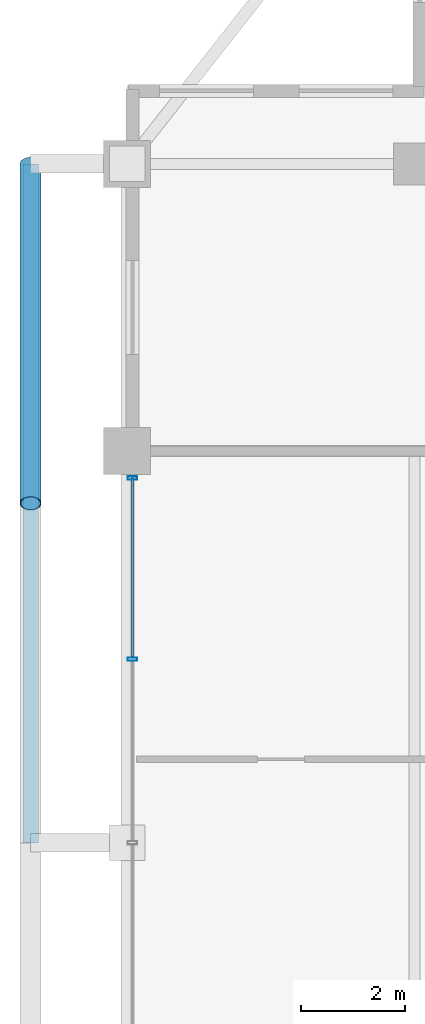
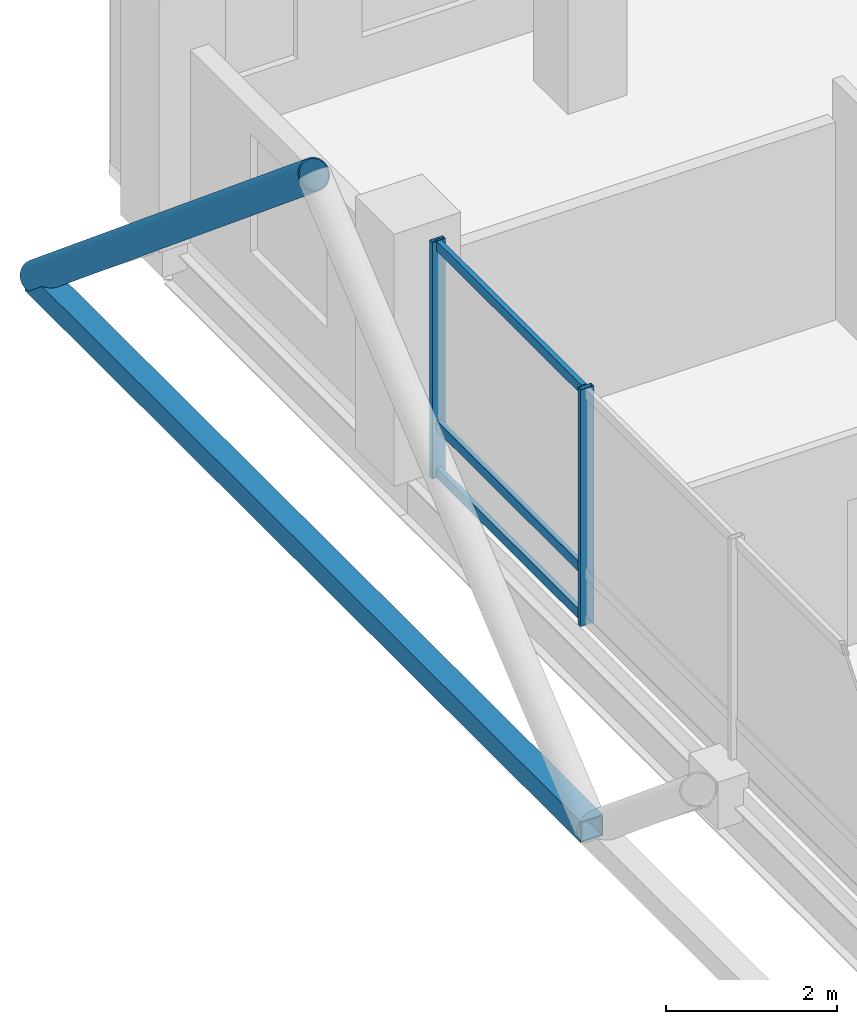
# One storey, part 10 of 25: 7 members, 1 element without a shape of its own.
"""IFC4 building model written with IfcOpenShell, lengths in metres."""

import ifcopenshell
import ifcopenshell.guid

model = None  # the IFC model being written
_history = None  # IfcOwnerHistory: only IFC2X3 demands one
_inside = {}  # id of a spatial element -> (the spatial element, [elements in it])
_under = {}  # id of a project, library or spatial element -> (it, [spatial elements below it])
_declared = {}  # id of a project -> (the project, [libraries it declares])
_typed = {}  # id of a type object -> (the type object, [elements of that type])
_made_of = {}  # id of a material, layer set ... -> (it, [elements and type objects made of it])


def new_model(schema):
    """Start an empty IFC model of exactly this schema.

    Asked for "IFC4X3", IfcOpenShell would pick the latest addendum, in which some entities
    have other attributes; the version numbers below select the first issue.
    IFC2X3 requires an IfcOwnerHistory on every rooted entity: one is made here for all.
    """
    global model, _history
    if schema == "IFC4X3":
        model = ifcopenshell.file(schema_version=(4, 3, 0, 0))
    else:
        model = ifcopenshell.file(schema=schema)
    _inside.clear()
    _under.clear()
    _declared.clear()
    _typed.clear()
    _made_of.clear()
    _history = None
    if model.schema == "IFC2X3":
        org = make("IfcOrganization", Name="unknown")
        user = make(
            "IfcPersonAndOrganization",
            ThePerson=make("IfcPerson", FamilyName="unknown"),
            TheOrganization=org,
        )
        app = make(
            "IfcApplication",
            ApplicationDeveloper=org,
            Version="unknown",
            ApplicationFullName="unknown",
            ApplicationIdentifier="unknown",
        )
        _history = make(
            "IfcOwnerHistory",
            OwningUser=user,
            OwningApplication=app,
            ChangeAction="ADDED",
            CreationDate=0,
        )
    return model


def make(cls, **values):
    """One entity of the class cls with the attributes given. An attribute that is None is left unset."""
    return model.create_entity(
        cls, **{name: value for name, value in values.items() if value is not None}
    )


def rooted(cls, **values):
    """An entity with a GlobalId (a new one), such as an element, a storey or a relation."""
    return make(cls, GlobalId=ifcopenshell.guid.new(), OwnerHistory=_history, **values)


def si_unit(unit_type, name, prefix=None):
    """IfcSIUnit, for example si_unit("LENGTHUNIT", "METRE", prefix="MILLI")."""
    return make("IfcSIUnit", UnitType=unit_type, Prefix=prefix, Name=name)


def assignment(units):
    """IfcUnitAssignment: the units of a project."""
    return None if units is None else make("IfcUnitAssignment", Units=units)


def point(xyz):
    """IfcCartesianPoint."""
    return None if xyz is None else make("IfcCartesianPoint", Coordinates=xyz)


def direction(xyz):
    """IfcDirection."""
    return None if xyz is None else make("IfcDirection", DirectionRatios=xyz)


def frame(location, z_axis=None, x_axis=None):
    """IfcAxis2Placement3D, a coordinate frame: its origin and axes. An axis left out is left unset."""
    return make(
        "IfcAxis2Placement3D",
        Location=point(location),
        Axis=direction(z_axis),
        RefDirection=direction(x_axis),
    )


def frame_2d(location, x_axis=None):
    """IfcAxis2Placement2D, a coordinate frame in the plane: its origin and x axis."""
    return make(
        "IfcAxis2Placement2D", Location=point(location), RefDirection=direction(x_axis)
    )


def origin():
    """The frame at (0, 0, 0) with its axes left unset."""
    return frame((0.0, 0.0, 0.0))


def origin_2d():
    """The frame at (0, 0) in the plane with its x axis left unset."""
    return frame_2d((0.0, 0.0))


def place(relative_to, where):
    """IfcLocalPlacement: puts the frame where relative to a parent placement (None: the world)."""
    return make(
        "IfcLocalPlacement", PlacementRelTo=relative_to, RelativePlacement=where
    )


def context(
    kind, dimensions, precision=None, world=None, true_north=None, identifier=None
):
    """IfcGeometricRepresentationContext, for example the 3D "Model" context."""
    return make(
        "IfcGeometricRepresentationContext",
        ContextIdentifier=identifier,
        ContextType=kind,
        CoordinateSpaceDimension=dimensions,
        Precision=precision,
        WorldCoordinateSystem=world,
        TrueNorth=true_north,
    )


def subcontext(parent, identifier, kind, view, scale=None):
    """IfcGeometricRepresentationSubContext, for example "Body" below "Model"."""
    return make(
        "IfcGeometricRepresentationSubContext",
        ContextIdentifier=identifier,
        ContextType=kind,
        ParentContext=parent,
        TargetScale=scale,
        TargetView=view,
    )


def project(units=None, contexts=None):
    """IfcProject with its units and contexts."""
    return rooted(
        "IfcProject",
        Name="project",
        RepresentationContexts=contexts,
        UnitsInContext=assignment(units),
    )


def spatial(cls, under=None, at=None, **own):
    """A site, building, storey or space (cls), placed at a placement, below another one or the project."""
    s = rooted(cls, ObjectPlacement=at, **own)
    if under is not None:
        _under.setdefault(under.id(), (under, []))[1].append(s)
    return s


def profile(cls, at=None, kind="AREA", **sizes):
    """A parametric profile (cls). Its sizes go by their IFC names, for example OverallWidth=200.0."""
    return make(cls, ProfileType=kind, Position=at, **sizes)


def hollow_rectangle(**sizes):
    """IfcRectangleHollowProfileDef."""
    return profile("IfcRectangleHollowProfileDef", **sizes)


def hollow_circle(**sizes):
    """IfcCircleHollowProfileDef."""
    return profile("IfcCircleHollowProfileDef", **sizes)


def extrude(swept, where, along, depth):
    """IfcExtrudedAreaSolid: the profile swept, set in the frame where, extruded along a direction by depth."""
    return make(
        "IfcExtrudedAreaSolid",
        SweptArea=swept,
        Position=where,
        ExtrudedDirection=direction(along),
        Depth=depth,
    )


def shape(context_of_items, identifier, shape_type, items):
    """IfcShapeRepresentation: the items that make up one representation, for example the "Body"."""
    return make(
        "IfcShapeRepresentation",
        ContextOfItems=context_of_items,
        RepresentationIdentifier=identifier,
        RepresentationType=shape_type,
        Items=items,
    )


def material(Name=None, Category=None):
    """IfcMaterial."""
    return make("IfcMaterial", Name=Name, Category=Category)


def layer(
    of_material, thickness, ventilated=None, Name=None, Category=None, Priority=None
):
    """IfcMaterialLayer: one layer of a wall or slab, of a material (None: an air gap)."""
    return make(
        "IfcMaterialLayer",
        Material=of_material,
        LayerThickness=thickness,
        IsVentilated=ventilated,
        Name=Name,
        Category=Category,
        Priority=Priority,
    )


def layer_set(layers, Name=None):
    """IfcMaterialLayerSet."""
    return make("IfcMaterialLayerSet", MaterialLayers=layers, LayerSetName=Name)


def material_profile(
    of_material, cross_section, Name=None, Category=None, Priority=None
):
    """IfcMaterialProfile: a cross section and its material."""
    return make(
        "IfcMaterialProfile",
        Name=Name,
        Material=of_material,
        Profile=cross_section,
        Priority=Priority,
        Category=Category,
    )


def profile_set(profiles, Name=None, composite=None):
    """IfcMaterialProfileSet."""
    return make(
        "IfcMaterialProfileSet",
        Name=Name,
        MaterialProfiles=profiles,
        CompositeProfile=composite,
    )


def made_of(thing, what):
    """Note that an element or type object is made of a material, layer set ...; save() writes the relation."""
    if what is not None:
        _made_of.setdefault(what.id(), (what, []))[1].append(thing)
    return thing


def type_object(cls, material=None, **own):
    """A type object (cls), such as IfcWallType, which elements share."""
    return made_of(rooted(cls, **own), material)


def element(
    cls,
    number,
    at=None,
    inside=None,
    cuts=None,
    type_object=None,
    material=None,
    context=None,
    identifier="Body",
    shape_type=None,
    held_by="IfcProductDefinitionShape",
    body=None,
    shapes=None,
    **own,
):
    """One element of the class cls, such as IfcWall. Its Tag is "e" and its number.

    at: its placement. inside: the storey or other place that contains it. cuts: it is an
    opening in that element (IfcRelVoidsElement). A single representation is given by context,
    identifier, shape_type and body (its items); several are given by shapes. held_by: the class
    of the entity that holds the representations. save() writes the other relations.
    """
    e = rooted(cls, Tag="e%d" % number, ObjectPlacement=at, **own)
    if body is not None:
        shapes = [shape(context, identifier, shape_type, body)]
    if shapes is not None:
        e.Representation = make(held_by, Representations=shapes)
    if inside is not None:
        _inside.setdefault(inside.id(), (inside, []))[1].append(e)
    if cuts is not None:
        rooted(
            "IfcRelVoidsElement", RelatingBuildingElement=cuts, RelatedOpeningElement=e
        )
    if type_object is not None:
        _typed.setdefault(type_object.id(), (type_object, []))[1].append(e)
    return made_of(e, material)


def aggregate(whole, parts):
    """IfcRelAggregates: a whole, such as a stair, and the parts it consists of."""
    return rooted("IfcRelAggregates", RelatingObject=whole, RelatedObjects=parts)


def save(model, path):
    """Write the relations noted so far, then the file.

    IfcRelAggregates (storeys below a building ...), IfcRelContainedInSpatialStructure (elements
    in a storey), IfcRelDefinesByType, IfcRelAssociatesMaterial and IfcRelDeclares: one each for
    every whole, place, type object, material and project.
    """
    for whole, parts in _under.values():
        aggregate(whole, parts)
    for where, things in _inside.values():
        rooted(
            "IfcRelContainedInSpatialStructure",
            RelatedElements=things,
            RelatingStructure=where,
        )
    for kind, things in _typed.values():
        rooted("IfcRelDefinesByType", RelatedObjects=things, RelatingType=kind)
    for what, things in _made_of.values():
        rooted("IfcRelAssociatesMaterial", RelatedObjects=things, RelatingMaterial=what)
    for by, libraries in _declared.values():
        rooted("IfcRelDeclares", RelatingContext=by, RelatedDefinitions=libraries)
    model.write(path)


model = new_model("IFC4")

# Units and contexts
model_context = context("Model", 3, precision=1e-05, world=origin(), true_north=direction((0.0, 1.0)))
body_context = subcontext(model_context, "Body", "Model", "MODEL_VIEW")
ifc_project = project(units=[si_unit("LENGTHUNIT", "METRE"), si_unit("AREAUNIT", "SQUARE_METRE"), si_unit("VOLUMEUNIT", "CUBIC_METRE"), si_unit("PLANEANGLEUNIT", "RADIAN"), si_unit("MASSUNIT", "GRAM", prefix="KILO")], contexts=[model_context])

# Site, building, storey
site_placement = place(None, origin())
site = spatial("IfcSite", under=ifc_project, at=site_placement, CompositionType="ELEMENT")
building_placement = place(site_placement, origin())
building = spatial("IfcBuilding", under=site, at=building_placement, Name="Barlavira Tower and Art Museum", CompositionType="ELEMENT")
storey_placement = place(building_placement, frame((0.0, 0.0, 229.5)))
storey = spatial("IfcBuildingStorey", under=building, at=storey_placement, Name="L59", CompositionType="ELEMENT", Elevation=229.5)

# Curtain wall, members
ifc_material_1 = material(Name="Low-iron coastal laminated glass", Category="glass")
ifc_layer = layer(ifc_material_1, 0.2099609375, Name="Low-iron coastal laminated glass")
ifc_layer_set = layer_set([ifc_layer], Name="Low-iron coastal laminated glass")
curtain_wall_type = type_object("IfcCurtainWallType", Name="Pale-Metal Unitised Curtain Wall Zone 4", PredefinedType="NOTDEFINED", material=ifc_layer_set)
curtain_wall_placement = place(storey_placement, origin())
curtain_wall = element("IfcCurtainWall", 1, at=curtain_wall_placement, inside=storey, type_object=curtain_wall_type, Name="L59 Curtain Wall CW4-L59-W-B3", PredefinedType="NOTDEFINED")
ifc_material_2 = material(Name="Pale anodised aluminium", Category="aluminium")
ifc_material_profile_1 = material_profile(ifc_material_2, hollow_rectangle(XDim=0.06494140625, YDim=0.179931640625, WallThickness=0.00390625, at=origin_2d()), Name="ALU-MULL 65x180x4")
ifc_profile_set_1 = profile_set([ifc_material_profile_1], Name="Pale anodised aluminium")
member_type_1 = type_object("IfcMemberType", Name="Curtain Wall Pale-Metal Mullion 65x180", PredefinedType="MULLION", material=ifc_profile_set_1)
member_1_placement = place(storey_placement, frame((-16.89990234375, 6.985107421875, 0.0), z_axis=(0.0, 0.0, 1.0), x_axis=(0.0, -1.0, 0.0)))
member_1 = element("IfcMember", 2, at=member_1_placement, type_object=member_type_1, Name="CW4-L59-W-B3 Mullion 0", PredefinedType="MULLION", context=body_context, shape_type="SweptSolid", body=[
    extrude(hollow_rectangle(XDim=0.06494140625, YDim=0.179931640625, WallThickness=0.00390625, at=origin_2d()), origin(), (0.0, 0.0, 1.0), 3.3798828125),
])
member_2_placement = place(storey_placement, frame((-16.89990234375, 3.514892578125, 0.0), z_axis=(0.0, 0.0, 1.0), x_axis=(0.0, -1.0, 0.0)))
member_2 = element("IfcMember", 3, at=member_2_placement, type_object=member_type_1, Name="CW4-L59-W-B3 Mullion 1", PredefinedType="MULLION", context=body_context, shape_type="SweptSolid", body=[
    extrude(hollow_rectangle(XDim=0.06494140625, YDim=0.179931640625, WallThickness=0.00390625, at=origin_2d()), origin(), (0.0, 0.0, 1.0), 3.3798828125),
])
ifc_material_profile_2 = material_profile(ifc_material_2, hollow_rectangle(XDim=0.06494140625, YDim=0.139892578125, WallThickness=0.00390625, at=origin_2d()), Name="ALU-TRAN 65x140x4")
ifc_profile_set_2 = profile_set([ifc_material_profile_2], Name="Pale anodised aluminium")
member_type_2 = type_object("IfcMemberType", Name="Curtain Wall Pale-Metal Transom 65x140", PredefinedType="USERDEFINED", material=ifc_profile_set_2)
member_3_placement = place(storey_placement, frame((-16.89990234375, 6.985107421875, 0.070068359375), z_axis=(0.0, -1.0, 0.0), x_axis=(1.0, 0.0, 0.0)))
member_3 = element("IfcMember", 4, at=member_3_placement, type_object=member_type_2, Name="CW4-L59-W-B3 Transom 0.1", ObjectType="TRANSOM", PredefinedType="USERDEFINED", context=body_context, shape_type="SweptSolid", body=[
    extrude(hollow_rectangle(XDim=0.06494140625, YDim=0.139892578125, WallThickness=0.00390625, at=origin_2d()), origin(), (0.0, 0.0, 1.0), 3.425048828125),
])
member_4_placement = place(storey_placement, frame((-16.89990234375, 6.985107421875, 0.743896484375), z_axis=(0.0, -1.0, 0.0), x_axis=(1.0, 0.0, 0.0)))
member_4 = element("IfcMember", 5, at=member_4_placement, type_object=member_type_2, Name="CW4-L59-W-B3 Transom 0.2", ObjectType="TRANSOM", PredefinedType="USERDEFINED", context=body_context, shape_type="SweptSolid", body=[
    extrude(hollow_rectangle(XDim=0.06494140625, YDim=0.139892578125, WallThickness=0.00390625, at=origin_2d()), origin(), (0.0, 0.0, 1.0), 3.425048828125),
])
member_5_placement = place(storey_placement, frame((-16.89990234375, 6.985107421875, 3.31005859375), z_axis=(0.0, -1.0, 0.0), x_axis=(1.0, 0.0, 0.0)))
member_5 = element("IfcMember", 6, at=member_5_placement, type_object=member_type_2, Name="CW4-L59-W-B3 Transom 0.3", ObjectType="TRANSOM", PredefinedType="USERDEFINED", context=body_context, shape_type="SweptSolid", body=[
    extrude(hollow_rectangle(XDim=0.06494140625, YDim=0.139892578125, WallThickness=0.00390625, at=origin_2d()), origin(), (0.0, 0.0, 1.0), 3.425048828125),
])
aggregate(curtain_wall, [member_1, member_2, member_3, member_4, member_5])

# Members
ifc_material_3 = material(Name="Steel S355", Category="steel")
ifc_material_profile_3 = material_profile(ifc_material_3, hollow_circle(Radius=0.203125, WallThickness=0.01611328125, at=origin_2d()), Name="CHS 406.4x16.0")
ifc_profile_set_3 = profile_set([ifc_material_profile_3], Name="Steel S355")
member_type_3 = type_object("IfcMemberType", Name="Pale-Metal Exoskeleton Diagrid Tube CHS 406x16 Steel S355", PredefinedType="BRACE", material=ifc_profile_set_3)
member_6_placement = place(storey_placement, frame((-18.85009765625, 13.0, -0.1201171875), z_axis=(0.0, -0.76918185268, 0.639029950399), x_axis=(1.0, 0.0, 0.0)))
element("IfcMember", 7, at=member_6_placement, inside=storey, type_object=member_type_3, Name="L59 Exoskeleton Diagrid Tube W", PredefinedType="BRACE", context=body_context, shape_type="SweptSolid", body=[
    extrude(hollow_circle(Radius=0.203125, WallThickness=0.01611328125, at=origin_2d()), origin(), (0.0, 0.0, 1.0), 8.450439453125),
])
ifc_material_profile_4 = material_profile(ifc_material_3, hollow_rectangle(XDim=0.300048828125, YDim=0.300048828125, WallThickness=0.01611328125, at=origin_2d()), Name="SHS 300x300x16.0")
ifc_profile_set_4 = profile_set([ifc_material_profile_4], Name="Steel S355")
member_type_4 = type_object("IfcMemberType", Name="Pale-Metal Upper Ring Strut SHS 300x300x16 Steel S355", PredefinedType="STRUT", material=ifc_profile_set_4)
member_7_placement = place(storey_placement, frame((-18.85009765625, 0.0, -0.1201171875), z_axis=(0.0, 1.0, 0.0), x_axis=(-1.0, 0.0, 0.0)))
element("IfcMember", 8, at=member_7_placement, inside=storey, type_object=member_type_4, Name="L59 Exoskeleton Ring Strut W", PredefinedType="STRUT", context=body_context, shape_type="SweptSolid", body=[
    extrude(hollow_rectangle(XDim=0.300048828125, YDim=0.300048828125, WallThickness=0.01611328125, at=origin_2d()), origin(), (0.0, 0.0, 1.0), 13.0),
])

save(model, "model.ifc")
